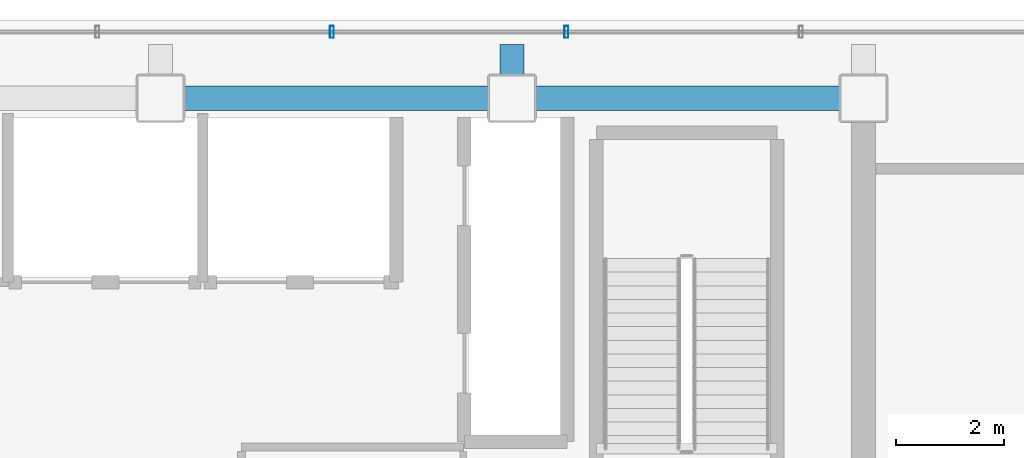
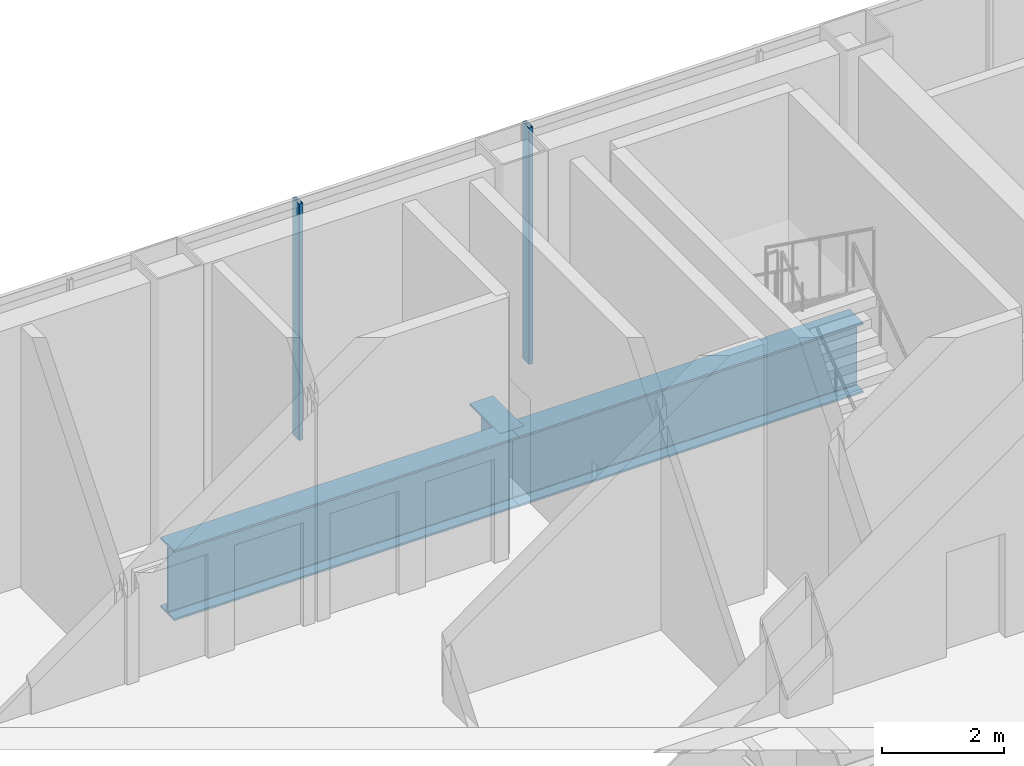
# One storey, part 11 of 18: 3 beams, 2 members, 1 element without a shape of its own.
"""IFC4 building model written with IfcOpenShell, lengths in metres."""

from ifc_helpers import new_model, si_unit, direction, frame, origin, origin_2d, place, context, subcontext, project, spatial, hollow_rectangle, i_section, extrude, material, material_profile, profile_set, type_object, element, aggregate, save


model = new_model("IFC4")

# Units and contexts
model_context = context("Model", 3, precision=1e-05, world=origin(), true_north=direction((0.0, 1.0)))
body_context = subcontext(model_context, "Body", "Model", "MODEL_VIEW")
ifc_project = project(units=[si_unit("LENGTHUNIT", "METRE"), si_unit("AREAUNIT", "SQUARE_METRE"), si_unit("VOLUMEUNIT", "CUBIC_METRE"), si_unit("PLANEANGLEUNIT", "RADIAN"), si_unit("MASSUNIT", "GRAM", prefix="KILO")], contexts=[model_context])

# Site, building, storey
site_placement = place(None, origin())
site = spatial("IfcSite", under=ifc_project, at=site_placement, CompositionType="ELEMENT")
building_placement = place(site_placement, origin())
building = spatial("IfcBuilding", under=site, at=building_placement, Name="Noeulbin Bourse Tower", CompositionType="ELEMENT")
storey_placement = place(building_placement, frame((0.0, 0.0, 200.699951171875)))
storey = spatial("IfcBuildingStorey", under=building, at=storey_placement, Name="L50", CompositionType="ELEMENT", Elevation=200.699951171875)

# Beams
ifc_material_1 = material(Name="Steel S460", Category="steel")
ifc_material_profile_1 = material_profile(ifc_material_1, i_section(OverallWidth=0.449951171875, OverallDepth=1.39990234375, WebThickness=0.02392578125, FlangeThickness=0.0400390625, FilletRadius=0.02392578125, at=origin_2d()), Name="PG-1400x450x24x40", Category="LoadBearing")
ifc_profile_set_1 = profile_set([ifc_material_profile_1], Name="Steel S460")
beam_type = type_object("IfcBeamType", Name="BM-TRF-1400", PredefinedType="USERDEFINED", material=ifc_profile_set_1)
for number, where, z_axis, x_axis, name in (
    (1, (31.0, 38.300048828125, -1.0), (1.0, 0.0, 0.0), (0.0, 1.0, 0.0), "Tower Primary Girder EW L50-3.3"),
    (2, (37.5, 38.300048828125, -1.0), (1.0, 0.0, 0.0), (0.0, 1.0, 0.0), "Tower Primary Girder EW L50-3.4"),
):
    element("IfcBeam", number, at=place(storey_placement, frame(where, z_axis=z_axis, x_axis=x_axis)), inside=storey, type_object=beam_type, Name=name, ObjectType="GIRDER", PredefinedType="USERDEFINED", context=body_context, shape_type="SweptSolid", body=[
        extrude(i_section(OverallWidth=0.449951171875, OverallDepth=1.39990234375, WebThickness=0.02392578125, FlangeThickness=0.0400390625, FilletRadius=0.02392578125, at=origin_2d()), origin(), (0.0, 0.0, 1.0), 6.5),
    ])
beam_placement = place(storey_placement, frame((37.5, 38.300048828125, -1.0), z_axis=(0.0, 1.0, 0.0), x_axis=(-1.0, 0.0, 0.0)))
element("IfcBeam", 3, at=beam_placement, inside=storey, type_object=beam_type, Name="Tower Primary Girder NS L50-4.4", ObjectType="GIRDER", PredefinedType="USERDEFINED", context=body_context, shape_type="SweptSolid", body=[
    extrude(i_section(OverallWidth=0.449951171875, OverallDepth=1.39990234375, WebThickness=0.02392578125, FlangeThickness=0.0400390625, FilletRadius=0.02392578125, at=origin_2d()), origin(), (0.0, 0.0, 1.0), 1.0),
])

# Curtain wall, members
ifc_material_2 = material(Name="Translucent Ceramic-Fritted Glass", Category="glass")
curtain_wall_type = type_object("IfcCurtainWallType", Name="CW-SYS-5", PredefinedType="NOTDEFINED", material=ifc_material_2)
curtain_wall_placement = place(storey_placement, origin())
curtain_wall = element("IfcCurtainWall", 4, at=curtain_wall_placement, inside=storey, type_object=curtain_wall_type, Name="Unitised Curtain Wall CW-L50-N", PredefinedType="NOTDEFINED")
ifc_material_3 = material(Name="Anodised Aluminium 6063-T6", Category="aluminium")
ifc_material_profile_2 = material_profile(ifc_material_3, hollow_rectangle(XDim=0.074951171875, YDim=0.219970703125, WallThickness=0.0048828125, InnerFilletRadius=0.00244140625, OuterFilletRadius=0.0048828125, at=origin_2d()), Name="ALU-MULL-75x220x5", Category="LoadBearing")
ifc_profile_set_2 = profile_set([ifc_material_profile_2], Name="Anodised Aluminium 6063-T6")
member_type = type_object("IfcMemberType", Name="CW-SYS-5-MUL", PredefinedType="MULLION", material=ifc_profile_set_2)
member_1_placement = place(storey_placement, frame((34.1689453125, 39.530029296875, -0.02001953125), z_axis=(0.0, 0.0, 1.0), x_axis=(1.0, 0.0, 0.0)))
member_1 = element("IfcMember", 5, at=member_1_placement, type_object=member_type, Name="Curtain Wall Mullion CW-L50-N-M05", PredefinedType="MULLION", context=body_context, shape_type="SweptSolid", body=[
    extrude(hollow_rectangle(XDim=0.074951171875, YDim=0.219970703125, WallThickness=0.0048828125, InnerFilletRadius=0.00244140625, OuterFilletRadius=0.0048828125, at=origin_2d()), origin(), (0.0, 0.0, 1.0), 4.719970703125),
])
member_2_placement = place(storey_placement, frame((38.506591796875, 39.530029296875, -0.02001953125), z_axis=(0.0, 0.0, 1.0), x_axis=(1.0, 0.0, 0.0)))
member_2 = element("IfcMember", 6, at=member_2_placement, type_object=member_type, Name="Curtain Wall Mullion CW-L50-N-M06", PredefinedType="MULLION", context=body_context, shape_type="SweptSolid", body=[
    extrude(hollow_rectangle(XDim=0.074951171875, YDim=0.219970703125, WallThickness=0.0048828125, InnerFilletRadius=0.00244140625, OuterFilletRadius=0.0048828125, at=origin_2d()), origin(), (0.0, 0.0, 1.0), 4.719970703125),
])
aggregate(curtain_wall, [member_1, member_2])

save(model, "model.ifc")
